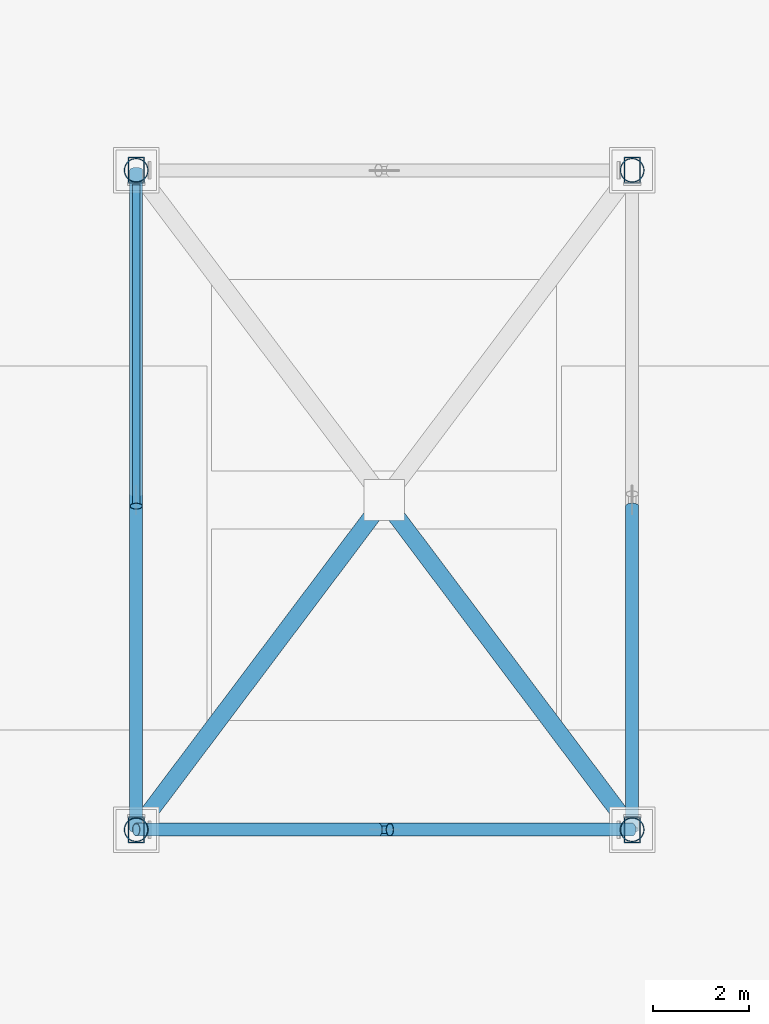
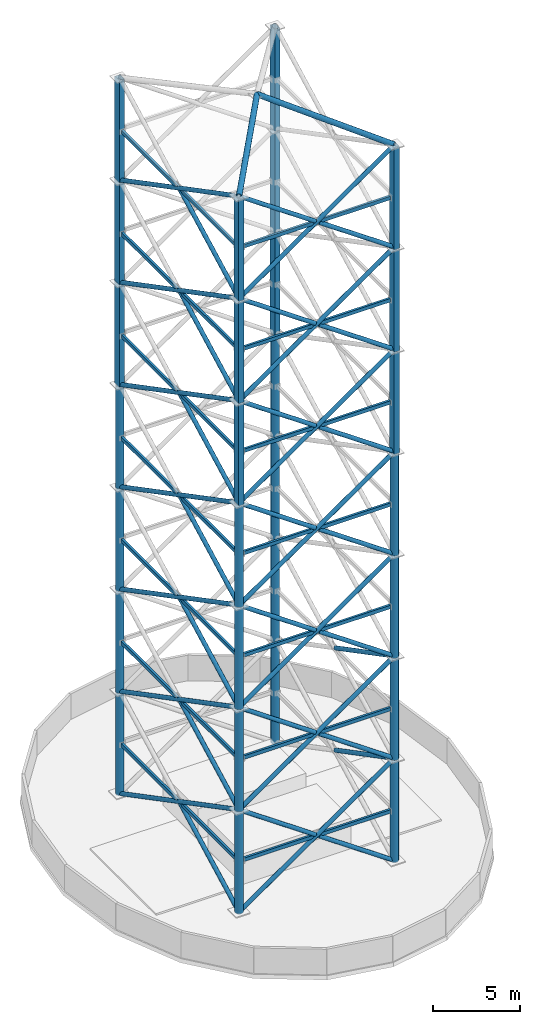
# One storey, part 1 of 7: 39 members, 28 columns, 14 beams.
"""IFC4 building model written with IfcOpenShell, lengths in metres."""

from ifc_helpers import new_model, si_unit, direction, frame, origin, origin_2d, place, context, subcontext, project, spatial, hollow_rectangle, hollow_circle, extrude, material, material_profile, profile_set, type_object, element, save


model = new_model("IFC4")

# Units and contexts
model_context = context("Model", 3, precision=1e-05, world=origin(), true_north=direction((0.0, 1.0)))
body_context = subcontext(model_context, "Body", "Model", "MODEL_VIEW")
ifc_project = project(units=[si_unit("LENGTHUNIT", "METRE"), si_unit("AREAUNIT", "SQUARE_METRE"), si_unit("VOLUMEUNIT", "CUBIC_METRE"), si_unit("PLANEANGLEUNIT", "RADIAN"), si_unit("MASSUNIT", "GRAM", prefix="KILO")], contexts=[model_context])

# Site, building, storey
site_placement = place(None, origin())
site = spatial("IfcSite", under=ifc_project, at=site_placement, CompositionType="ELEMENT")
building_placement = place(site_placement, origin())
building = spatial("IfcBuilding", under=site, at=building_placement, Name="Cununo Teusaquillo Station Towers", CompositionType="ELEMENT")
storey_placement = place(building_placement, frame((0.0, 0.0, 244.830078125)))
storey = spatial("IfcBuildingStorey", under=building, at=storey_placement, Name="Roof Drum", CompositionType="ELEMENT", Elevation=244.830078125)

# Columns
ifc_material_1 = material(Name="Steel EN 10025-2 S355J2", Category="steel")
ifc_material_profile_1 = material_profile(ifc_material_1, hollow_circle(Radius=0.25390625, WallThickness=0.01806640625, at=origin_2d()), Name="CHS 508x18")
ifc_profile_set_1 = profile_set([ifc_material_profile_1], Name="Steel EN 10025-2 S355J2")
column_type_1 = type_object("IfcColumnType", Name="COL-MAST-LEG", PredefinedType="USERDEFINED", material=ifc_profile_set_1)
for number, where, z_axis, x_axis, name in (
    (1, (11.324951171875, 17.6201171875, 0.0), (0.0, 0.0, 1.0), (1.0, 0.0, 0.0), "Broadcast Mast Lattice Leg Tier 1.1"),
    (2, (21.675048828125, 17.6201171875, 0.0), (0.0, 0.0, 1.0), (1.0, 0.0, 0.0), "Broadcast Mast Lattice Leg Tier 1.2"),
    (3, (21.675048828125, 31.3798828125, 0.0), (0.0, 0.0, 1.0), (1.0, 0.0, 0.0), "Broadcast Mast Lattice Leg Tier 1.3"),
    (4, (11.324951171875, 31.3798828125, 0.0), (0.0, 0.0, 1.0), (1.0, 0.0, 0.0), "Broadcast Mast Lattice Leg Tier 1.4"),
    (5, (11.324951171875, 17.6201171875, 7.199951171875), (0.0, 0.0, 1.0), (1.0, 0.0, 0.0), "Broadcast Mast Lattice Leg Tier 2.1"),
    (6, (21.675048828125, 17.6201171875, 7.199951171875), (0.0, 0.0, 1.0), (1.0, 0.0, 0.0), "Broadcast Mast Lattice Leg Tier 2.2"),
    (7, (21.675048828125, 31.3798828125, 7.199951171875), (0.0, 0.0, 1.0), (1.0, 0.0, 0.0), "Broadcast Mast Lattice Leg Tier 2.3"),
    (8, (11.324951171875, 31.3798828125, 7.199951171875), (0.0, 0.0, 1.0), (1.0, 0.0, 0.0), "Broadcast Mast Lattice Leg Tier 2.4"),
    (9, (11.324951171875, 17.6201171875, 14.39990234375), (0.0, 0.0, 1.0), (1.0, 0.0, 0.0), "Broadcast Mast Lattice Leg Tier 3.1"),
    (10, (21.675048828125, 17.6201171875, 14.39990234375), (0.0, 0.0, 1.0), (1.0, 0.0, 0.0), "Broadcast Mast Lattice Leg Tier 3.2"),
    (11, (21.675048828125, 31.3798828125, 14.39990234375), (0.0, 0.0, 1.0), (1.0, 0.0, 0.0), "Broadcast Mast Lattice Leg Tier 3.3"),
    (12, (11.324951171875, 31.3798828125, 14.39990234375), (0.0, 0.0, 1.0), (1.0, 0.0, 0.0), "Broadcast Mast Lattice Leg Tier 3.4"),
    (13, (11.324951171875, 17.6201171875, 21.599853515625), (0.0, 0.0, 1.0), (1.0, 0.0, 0.0), "Broadcast Mast Lattice Leg Tier 4.1"),
    (14, (21.675048828125, 17.6201171875, 21.599853515625), (0.0, 0.0, 1.0), (1.0, 0.0, 0.0), "Broadcast Mast Lattice Leg Tier 4.2"),
    (15, (21.675048828125, 31.3798828125, 21.599853515625), (0.0, 0.0, 1.0), (1.0, 0.0, 0.0), "Broadcast Mast Lattice Leg Tier 4.3"),
    (16, (11.324951171875, 31.3798828125, 21.599853515625), (0.0, 0.0, 1.0), (1.0, 0.0, 0.0), "Broadcast Mast Lattice Leg Tier 4.4"),
):
    element("IfcColumn", number, at=place(storey_placement, frame(where, z_axis=z_axis, x_axis=x_axis)), inside=storey, type_object=column_type_1, Name=name, ObjectType="BROADCAST MAST", PredefinedType="USERDEFINED", context=body_context, shape_type="SweptSolid", body=[
        extrude(hollow_circle(Radius=0.25390625, WallThickness=0.01806640625, at=origin_2d()), origin(), (0.0, 0.0, 1.0), 7.199951171875),
    ])
ifc_material_2 = material(Name="Steel ASTM A572 Grade 50", Category="steel")
ifc_material_profile_2 = material_profile(ifc_material_2, hollow_rectangle(XDim=0.35009765625, YDim=0.550048828125, WallThickness=0.02197265625, at=origin_2d()), Name="RHS 550x350x22")
ifc_profile_set_2 = profile_set([ifc_material_profile_2], Name="Steel ASTM A572 Grade 50")
column_type_2 = type_object("IfcColumnType", Name="COL-MAST-TOP", PredefinedType="USERDEFINED", material=ifc_profile_set_2)
for number, where, z_axis, x_axis, name in (
    (17, (11.324951171875, 17.6201171875, 28.7998046875), (0.0, 0.0, 1.0), (1.0, 0.0, 0.0), "Broadcast Mast Lattice Leg Tier 5.1"),
    (18, (21.675048828125, 17.6201171875, 28.7998046875), (0.0, 0.0, 1.0), (1.0, 0.0, 0.0), "Broadcast Mast Lattice Leg Tier 5.2"),
    (19, (21.675048828125, 31.3798828125, 28.7998046875), (0.0, 0.0, 1.0), (1.0, 0.0, 0.0), "Broadcast Mast Lattice Leg Tier 5.3"),
    (20, (11.324951171875, 31.3798828125, 28.7998046875), (0.0, 0.0, 1.0), (1.0, 0.0, 0.0), "Broadcast Mast Lattice Leg Tier 5.4"),
):
    element("IfcColumn", number, at=place(storey_placement, frame(where, z_axis=z_axis, x_axis=x_axis)), inside=storey, type_object=column_type_2, Name=name, ObjectType="BROADCAST MAST", PredefinedType="USERDEFINED", context=body_context, shape_type="SweptSolid", body=[
        extrude(hollow_rectangle(XDim=0.35009765625, YDim=0.550048828125, WallThickness=0.02197265625, at=origin_2d()), origin(), (0.0, 0.0, 1.0), 7.2001953125),
    ])
for number, where, z_axis, x_axis, name in (
    (21, (11.324951171875, 17.6201171875, 36.0), (0.0, 0.0, 1.0), (1.0, 0.0, 0.0), "Broadcast Mast Lattice Leg Tier 6.1"),
    (22, (21.675048828125, 17.6201171875, 36.0), (0.0, 0.0, 1.0), (1.0, 0.0, 0.0), "Broadcast Mast Lattice Leg Tier 6.2"),
    (23, (21.675048828125, 31.3798828125, 36.0), (0.0, 0.0, 1.0), (1.0, 0.0, 0.0), "Broadcast Mast Lattice Leg Tier 6.3"),
    (24, (11.324951171875, 31.3798828125, 36.0), (0.0, 0.0, 1.0), (1.0, 0.0, 0.0), "Broadcast Mast Lattice Leg Tier 6.4"),
    (25, (11.324951171875, 17.6201171875, 43.199951171875), (0.0, 0.0, 1.0), (1.0, 0.0, 0.0), "Broadcast Mast Lattice Leg Tier 7.1"),
    (26, (21.675048828125, 17.6201171875, 43.199951171875), (0.0, 0.0, 1.0), (1.0, 0.0, 0.0), "Broadcast Mast Lattice Leg Tier 7.2"),
    (27, (21.675048828125, 31.3798828125, 43.199951171875), (0.0, 0.0, 1.0), (1.0, 0.0, 0.0), "Broadcast Mast Lattice Leg Tier 7.3"),
    (28, (11.324951171875, 31.3798828125, 43.199951171875), (0.0, 0.0, 1.0), (1.0, 0.0, 0.0), "Broadcast Mast Lattice Leg Tier 7.4"),
):
    element("IfcColumn", number, at=place(storey_placement, frame(where, z_axis=z_axis, x_axis=x_axis)), inside=storey, type_object=column_type_2, Name=name, ObjectType="BROADCAST MAST", PredefinedType="USERDEFINED", context=body_context, shape_type="SweptSolid", body=[
        extrude(hollow_rectangle(XDim=0.35009765625, YDim=0.550048828125, WallThickness=0.02197265625, at=origin_2d()), origin(), (0.0, 0.0, 1.0), 7.199951171875),
    ])

# Beams
ifc_material_3 = material(Name="Steel EN 10025-2 S355J2", Category="steel")
ifc_material_profile_3 = material_profile(ifc_material_3, hollow_rectangle(XDim=0.14990234375, YDim=0.25, WallThickness=0.011962890625, at=origin_2d()), Name="RHS 250x150x12")
ifc_profile_set_3 = profile_set([ifc_material_profile_3], Name="Steel EN 10025-2 S355J2")
beam_type = type_object("IfcBeamType", Name="BM-MAST-RING", PredefinedType="BEAM", material=ifc_profile_set_3)
beam_1_placement = place(storey_placement, frame((11.614013671875, 17.6201171875, 3.599853515625), z_axis=(1.0, 0.0, 0.0), x_axis=(0.0, 1.0, 0.0)))
element("IfcBeam", 29, at=beam_1_placement, inside=storey, type_object=beam_type, Name="Broadcast Mast Collar Ring Tier 1.1", PredefinedType="BEAM", context=body_context, shape_type="SweptSolid", body=[
    extrude(hollow_rectangle(XDim=0.14990234375, YDim=0.25, WallThickness=0.011962890625, at=origin_2d()), origin(), (0.0, 0.0, 1.0), 9.77197265625),
])
beam_2_placement = place(storey_placement, frame((11.324951171875, 31.091064453125, 3.599853515625), z_axis=(0.0, -1.0, 0.0), x_axis=(1.0, 0.0, 0.0)))
element("IfcBeam", 30, at=beam_2_placement, inside=storey, type_object=beam_type, Name="Broadcast Mast Collar Ring Tier 1.4", PredefinedType="BEAM", context=body_context, shape_type="SweptSolid", body=[
    extrude(hollow_rectangle(XDim=0.14990234375, YDim=0.25, WallThickness=0.011962890625, at=origin_2d()), origin(), (0.0, 0.0, 1.0), 13.18212890625),
])
beam_3_placement = place(storey_placement, frame((11.614013671875, 17.6201171875, 10.7998046875), z_axis=(1.0, 0.0, 0.0), x_axis=(0.0, 1.0, 0.0)))
element("IfcBeam", 31, at=beam_3_placement, inside=storey, type_object=beam_type, Name="Broadcast Mast Collar Ring Tier 2.1", PredefinedType="BEAM", context=body_context, shape_type="SweptSolid", body=[
    extrude(hollow_rectangle(XDim=0.14990234375, YDim=0.25, WallThickness=0.011962890625, at=origin_2d()), origin(), (0.0, 0.0, 1.0), 9.77197265625),
])
beam_4_placement = place(storey_placement, frame((11.324951171875, 31.091064453125, 10.7998046875), z_axis=(0.0, -1.0, 0.0), x_axis=(1.0, 0.0, 0.0)))
element("IfcBeam", 32, at=beam_4_placement, inside=storey, type_object=beam_type, Name="Broadcast Mast Collar Ring Tier 2.4", PredefinedType="BEAM", context=body_context, shape_type="SweptSolid", body=[
    extrude(hollow_rectangle(XDim=0.14990234375, YDim=0.25, WallThickness=0.011962890625, at=origin_2d()), origin(), (0.0, 0.0, 1.0), 13.18212890625),
])
beam_5_placement = place(storey_placement, frame((11.614013671875, 17.6201171875, 18.0), z_axis=(1.0, 0.0, 0.0), x_axis=(0.0, 1.0, 0.0)))
element("IfcBeam", 33, at=beam_5_placement, inside=storey, type_object=beam_type, Name="Broadcast Mast Collar Ring Tier 3.1", PredefinedType="BEAM", context=body_context, shape_type="SweptSolid", body=[
    extrude(hollow_rectangle(XDim=0.14990234375, YDim=0.25, WallThickness=0.011962890625, at=origin_2d()), origin(), (0.0, 0.0, 1.0), 9.77197265625),
])
beam_6_placement = place(storey_placement, frame((11.324951171875, 31.091064453125, 18.0), z_axis=(0.0, -1.0, 0.0), x_axis=(1.0, 0.0, 0.0)))
element("IfcBeam", 34, at=beam_6_placement, inside=storey, type_object=beam_type, Name="Broadcast Mast Collar Ring Tier 3.4", PredefinedType="BEAM", context=body_context, shape_type="SweptSolid", body=[
    extrude(hollow_rectangle(XDim=0.14990234375, YDim=0.25, WallThickness=0.011962890625, at=origin_2d()), origin(), (0.0, 0.0, 1.0), 13.18212890625),
])
beam_7_placement = place(storey_placement, frame((11.614013671875, 17.6201171875, 25.199951171875), z_axis=(1.0, 0.0, 0.0), x_axis=(0.0, 1.0, 0.0)))
element("IfcBeam", 35, at=beam_7_placement, inside=storey, type_object=beam_type, Name="Broadcast Mast Collar Ring Tier 4.1", PredefinedType="BEAM", context=body_context, shape_type="SweptSolid", body=[
    extrude(hollow_rectangle(XDim=0.14990234375, YDim=0.25, WallThickness=0.011962890625, at=origin_2d()), origin(), (0.0, 0.0, 1.0), 9.77197265625),
])
beam_8_placement = place(storey_placement, frame((11.324951171875, 31.091064453125, 25.199951171875), z_axis=(0.0, -1.0, 0.0), x_axis=(1.0, 0.0, 0.0)))
element("IfcBeam", 36, at=beam_8_placement, inside=storey, type_object=beam_type, Name="Broadcast Mast Collar Ring Tier 4.4", PredefinedType="BEAM", context=body_context, shape_type="SweptSolid", body=[
    extrude(hollow_rectangle(XDim=0.14990234375, YDim=0.25, WallThickness=0.011962890625, at=origin_2d()), origin(), (0.0, 0.0, 1.0), 13.18212890625),
])
beam_9_placement = place(storey_placement, frame((11.635009765625, 17.6201171875, 32.39990234375), z_axis=(1.0, 0.0, 0.0), x_axis=(0.0, 1.0, 0.0)))
element("IfcBeam", 37, at=beam_9_placement, inside=storey, type_object=beam_type, Name="Broadcast Mast Collar Ring Tier 5.1", PredefinedType="BEAM", context=body_context, shape_type="SweptSolid", body=[
    extrude(hollow_rectangle(XDim=0.14990234375, YDim=0.25, WallThickness=0.011962890625, at=origin_2d()), origin(), (0.0, 0.0, 1.0), 9.72998046875),
])
beam_10_placement = place(storey_placement, frame((11.324951171875, 31.070068359375, 32.39990234375), z_axis=(0.0, -1.0, 0.0), x_axis=(1.0, 0.0, 0.0)))
element("IfcBeam", 38, at=beam_10_placement, inside=storey, type_object=beam_type, Name="Broadcast Mast Collar Ring Tier 5.4", PredefinedType="BEAM", context=body_context, shape_type="SweptSolid", body=[
    extrude(hollow_rectangle(XDim=0.14990234375, YDim=0.25, WallThickness=0.011962890625, at=origin_2d()), origin(), (0.0, 0.0, 1.0), 13.14013671875),
])
beam_11_placement = place(storey_placement, frame((11.635009765625, 17.6201171875, 39.599853515625), z_axis=(1.0, 0.0, 0.0), x_axis=(0.0, 1.0, 0.0)))
element("IfcBeam", 39, at=beam_11_placement, inside=storey, type_object=beam_type, Name="Broadcast Mast Collar Ring Tier 6.1", PredefinedType="BEAM", context=body_context, shape_type="SweptSolid", body=[
    extrude(hollow_rectangle(XDim=0.14990234375, YDim=0.25, WallThickness=0.011962890625, at=origin_2d()), origin(), (0.0, 0.0, 1.0), 9.72998046875),
])
beam_12_placement = place(storey_placement, frame((11.324951171875, 31.070068359375, 39.599853515625), z_axis=(0.0, -1.0, 0.0), x_axis=(1.0, 0.0, 0.0)))
element("IfcBeam", 40, at=beam_12_placement, inside=storey, type_object=beam_type, Name="Broadcast Mast Collar Ring Tier 6.4", PredefinedType="BEAM", context=body_context, shape_type="SweptSolid", body=[
    extrude(hollow_rectangle(XDim=0.14990234375, YDim=0.25, WallThickness=0.011962890625, at=origin_2d()), origin(), (0.0, 0.0, 1.0), 13.14013671875),
])
beam_13_placement = place(storey_placement, frame((11.635009765625, 17.6201171875, 46.7998046875), z_axis=(1.0, 0.0, 0.0), x_axis=(0.0, 1.0, 0.0)))
element("IfcBeam", 41, at=beam_13_placement, inside=storey, type_object=beam_type, Name="Broadcast Mast Collar Ring Tier 7.1", PredefinedType="BEAM", context=body_context, shape_type="SweptSolid", body=[
    extrude(hollow_rectangle(XDim=0.14990234375, YDim=0.25, WallThickness=0.011962890625, at=origin_2d()), origin(), (0.0, 0.0, 1.0), 9.72998046875),
])
beam_14_placement = place(storey_placement, frame((11.324951171875, 31.070068359375, 46.7998046875), z_axis=(0.0, -1.0, 0.0), x_axis=(1.0, 0.0, 0.0)))
element("IfcBeam", 42, at=beam_14_placement, inside=storey, type_object=beam_type, Name="Broadcast Mast Collar Ring Tier 7.4", PredefinedType="BEAM", context=body_context, shape_type="SweptSolid", body=[
    extrude(hollow_rectangle(XDim=0.14990234375, YDim=0.25, WallThickness=0.011962890625, at=origin_2d()), origin(), (0.0, 0.0, 1.0), 13.14013671875),
])

# Members
ifc_material_4 = material(Name="Steel EN 10025-2 S355J2", Category="steel")
ifc_material_profile_4 = material_profile(ifc_material_4, hollow_circle(Radius=0.136474609375, WallThickness=0.011962890625, at=origin_2d()), Name="CHS 273x12")
ifc_profile_set_4 = profile_set([ifc_material_profile_4], Name="Steel EN 10025-2 S355J2")
member_type_1 = type_object("IfcMemberType", Name="MBR-MAST-BR", PredefinedType="USERDEFINED", material=ifc_profile_set_4)
member_1_placement = place(storey_placement, frame((11.324951171875, 17.6201171875, 0.0), z_axis=(0.820909543203, 0.0, 0.57105824736), x_axis=(0.0, 1.0, 0.0)))
element("IfcMember", 43, at=member_1_placement, inside=storey, type_object=member_type_1, Name="Broadcast Mast Continuous Lattice Brace Tier 1.1A", ObjectType="BROADCAST MAST", PredefinedType="USERDEFINED", context=body_context, shape_type="SweptSolid", body=[
    extrude(hollow_circle(Radius=0.136474609375, WallThickness=0.011962890625, at=origin_2d()), origin(), (0.0, 0.0, 1.0), 12.608154296875),
])
for number, where, z_axis, x_axis, name in (
    (44, (21.675048828125, 17.6201171875, 0.0), (-0.820922975803, 0.0, 0.5710389372), (0.0, -1.0, 0.0), "Broadcast Mast Split Lattice Brace Tier 1.1B1"),
    (45, (16.381103515625, 17.6201171875, 3.6826171875), (-0.820904393875, 0.0, 0.571065649568), (0.0, -1.0, 0.0), "Broadcast Mast Split Lattice Brace Tier 1.1B2"),
):
    element("IfcMember", number, at=place(storey_placement, frame(where, z_axis=z_axis, x_axis=x_axis)), inside=storey, type_object=member_type_1, Name=name, ObjectType="BROADCAST MAST", PredefinedType="USERDEFINED", context=body_context, shape_type="SweptSolid", body=[
        extrude(hollow_circle(Radius=0.136474609375, WallThickness=0.011962890625, at=origin_2d()), origin(), (0.0, 0.0, 1.0), 6.1591796875),
    ])
member_2_placement = place(storey_placement, frame((21.675048828125, 24.37158203125, 3.667236328125), z_axis=(0.0, -0.886034636509, 0.463619049334), x_axis=(1.0, 0.0, 0.0)))
element("IfcMember", 46, at=member_2_placement, inside=storey, type_object=member_type_1, Name="Broadcast Mast Split Lattice Brace Tier 1.2B2", ObjectType="BROADCAST MAST", PredefinedType="USERDEFINED", context=body_context, shape_type="SweptSolid", body=[
    extrude(hollow_circle(Radius=0.136474609375, WallThickness=0.011962890625, at=origin_2d()), origin(), (0.0, 0.0, 1.0), 7.619873046875),
])
member_3_placement = place(storey_placement, frame((11.324951171875, 31.3798828125, 0.0), z_axis=(0.0, -0.886031153703, 0.463625705356), x_axis=(1.0, 0.0, 0.0)))
element("IfcMember", 47, at=member_3_placement, inside=storey, type_object=member_type_1, Name="Broadcast Mast Continuous Lattice Brace Tier 1.4A", ObjectType="BROADCAST MAST", PredefinedType="USERDEFINED", context=body_context, shape_type="SweptSolid", body=[
    extrude(hollow_circle(Radius=0.136474609375, WallThickness=0.011962890625, at=origin_2d()), origin(), (0.0, 0.0, 1.0), 15.52978515625),
])
member_4_placement = place(storey_placement, frame((11.324951171875, 17.6201171875, 0.0), z_axis=(0.0, 0.886034636509, 0.463619049334), x_axis=(-1.0, 0.0, 0.0)))
element("IfcMember", 48, at=member_4_placement, inside=storey, type_object=member_type_1, Name="Broadcast Mast Split Lattice Brace Tier 1.4B1", ObjectType="BROADCAST MAST", PredefinedType="USERDEFINED", context=body_context, shape_type="SweptSolid", body=[
    extrude(hollow_circle(Radius=0.136474609375, WallThickness=0.011962890625, at=origin_2d()), origin(), (0.0, 0.0, 1.0), 7.619873046875),
])
member_5_placement = place(storey_placement, frame((11.324951171875, 17.6201171875, 7.199951171875), z_axis=(0.820909543203, 0.0, 0.57105824736), x_axis=(0.0, 1.0, 0.0)))
element("IfcMember", 49, at=member_5_placement, inside=storey, type_object=member_type_1, Name="Broadcast Mast Continuous Lattice Brace Tier 2.1A", ObjectType="BROADCAST MAST", PredefinedType="USERDEFINED", context=body_context, shape_type="SweptSolid", body=[
    extrude(hollow_circle(Radius=0.136474609375, WallThickness=0.011962890625, at=origin_2d()), origin(), (0.0, 0.0, 1.0), 12.608154296875),
])
for number, where, z_axis, x_axis, name in (
    (50, (21.675048828125, 17.6201171875, 7.199951171875), (-0.820922975803, 0.0, 0.5710389372), (0.0, -1.0, 0.0), "Broadcast Mast Split Lattice Brace Tier 2.1B1"),
    (51, (16.381103515625, 17.6201171875, 10.8828125), (-0.820922975803, 0.0, 0.5710389372), (0.0, -1.0, 0.0), "Broadcast Mast Split Lattice Brace Tier 2.1B2"),
):
    element("IfcMember", number, at=place(storey_placement, frame(where, z_axis=z_axis, x_axis=x_axis)), inside=storey, type_object=member_type_1, Name=name, ObjectType="BROADCAST MAST", PredefinedType="USERDEFINED", context=body_context, shape_type="SweptSolid", body=[
        extrude(hollow_circle(Radius=0.136474609375, WallThickness=0.011962890625, at=origin_2d()), origin(), (0.0, 0.0, 1.0), 6.1591796875),
    ])
member_6_placement = place(storey_placement, frame((21.675048828125, 24.37158203125, 10.8671875), z_axis=(0.0, -0.886034636509, 0.463619049334), x_axis=(1.0, 0.0, 0.0)))
element("IfcMember", 52, at=member_6_placement, inside=storey, type_object=member_type_1, Name="Broadcast Mast Split Lattice Brace Tier 2.2B2", ObjectType="BROADCAST MAST", PredefinedType="USERDEFINED", context=body_context, shape_type="SweptSolid", body=[
    extrude(hollow_circle(Radius=0.136474609375, WallThickness=0.011962890625, at=origin_2d()), origin(), (0.0, 0.0, 1.0), 7.619873046875),
])
member_7_placement = place(storey_placement, frame((11.324951171875, 31.3798828125, 7.199951171875), z_axis=(0.0, -0.886031153703, 0.463625705356), x_axis=(1.0, 0.0, 0.0)))
element("IfcMember", 53, at=member_7_placement, inside=storey, type_object=member_type_1, Name="Broadcast Mast Continuous Lattice Brace Tier 2.4A", ObjectType="BROADCAST MAST", PredefinedType="USERDEFINED", context=body_context, shape_type="SweptSolid", body=[
    extrude(hollow_circle(Radius=0.136474609375, WallThickness=0.011962890625, at=origin_2d()), origin(), (0.0, 0.0, 1.0), 15.52978515625),
])
member_8_placement = place(storey_placement, frame((11.324951171875, 17.6201171875, 7.199951171875), z_axis=(0.0, 0.886034636509, 0.463619049334), x_axis=(-1.0, 0.0, 0.0)))
element("IfcMember", 54, at=member_8_placement, inside=storey, type_object=member_type_1, Name="Broadcast Mast Split Lattice Brace Tier 2.4B1", ObjectType="BROADCAST MAST", PredefinedType="USERDEFINED", context=body_context, shape_type="SweptSolid", body=[
    extrude(hollow_circle(Radius=0.136474609375, WallThickness=0.011962890625, at=origin_2d()), origin(), (0.0, 0.0, 1.0), 7.619873046875),
])
member_9_placement = place(storey_placement, frame((11.324951171875, 17.6201171875, 14.39990234375), z_axis=(0.820909543203, 0.0, 0.57105824736), x_axis=(0.0, 1.0, 0.0)))
element("IfcMember", 55, at=member_9_placement, inside=storey, type_object=member_type_1, Name="Broadcast Mast Continuous Lattice Brace Tier 3.1A", ObjectType="BROADCAST MAST", PredefinedType="USERDEFINED", context=body_context, shape_type="SweptSolid", body=[
    extrude(hollow_circle(Radius=0.136474609375, WallThickness=0.011962890625, at=origin_2d()), origin(), (0.0, 0.0, 1.0), 12.608154296875),
])
for number, where, z_axis, x_axis, name in (
    (56, (21.675048828125, 17.6201171875, 14.39990234375), (-0.820904393875, 0.0, 0.571065649568), (0.0, -1.0, 0.0), "Broadcast Mast Split Lattice Brace Tier 3.1B1"),
    (57, (16.381103515625, 17.6201171875, 18.082763671875), (-0.820922975803, 0.0, 0.5710389372), (0.0, -1.0, 0.0), "Broadcast Mast Split Lattice Brace Tier 3.1B2"),
):
    element("IfcMember", number, at=place(storey_placement, frame(where, z_axis=z_axis, x_axis=x_axis)), inside=storey, type_object=member_type_1, Name=name, ObjectType="BROADCAST MAST", PredefinedType="USERDEFINED", context=body_context, shape_type="SweptSolid", body=[
        extrude(hollow_circle(Radius=0.136474609375, WallThickness=0.011962890625, at=origin_2d()), origin(), (0.0, 0.0, 1.0), 6.1591796875),
    ])
member_10_placement = place(storey_placement, frame((11.324951171875, 31.3798828125, 14.39990234375), z_axis=(0.0, -0.886031153703, 0.463625705356), x_axis=(1.0, 0.0, 0.0)))
element("IfcMember", 58, at=member_10_placement, inside=storey, type_object=member_type_1, Name="Broadcast Mast Continuous Lattice Brace Tier 3.4A", ObjectType="BROADCAST MAST", PredefinedType="USERDEFINED", context=body_context, shape_type="SweptSolid", body=[
    extrude(hollow_circle(Radius=0.136474609375, WallThickness=0.011962890625, at=origin_2d()), origin(), (0.0, 0.0, 1.0), 15.52978515625),
])
member_11_placement = place(storey_placement, frame((11.324951171875, 17.6201171875, 14.39990234375), z_axis=(0.0, 0.886034636509, 0.463619049334), x_axis=(-1.0, 0.0, 0.0)))
element("IfcMember", 59, at=member_11_placement, inside=storey, type_object=member_type_1, Name="Broadcast Mast Split Lattice Brace Tier 3.4B1", ObjectType="BROADCAST MAST", PredefinedType="USERDEFINED", context=body_context, shape_type="SweptSolid", body=[
    extrude(hollow_circle(Radius=0.136474609375, WallThickness=0.011962890625, at=origin_2d()), origin(), (0.0, 0.0, 1.0), 7.619873046875),
])
member_12_placement = place(storey_placement, frame((11.324951171875, 17.6201171875, 21.599853515625), z_axis=(0.820909543203, 0.0, 0.57105824736), x_axis=(0.0, 1.0, 0.0)))
element("IfcMember", 60, at=member_12_placement, inside=storey, type_object=member_type_1, Name="Broadcast Mast Continuous Lattice Brace Tier 4.1A", ObjectType="BROADCAST MAST", PredefinedType="USERDEFINED", context=body_context, shape_type="SweptSolid", body=[
    extrude(hollow_circle(Radius=0.136474609375, WallThickness=0.011962890625, at=origin_2d()), origin(), (0.0, 0.0, 1.0), 12.608154296875),
])
for number, where, z_axis, x_axis, name in (
    (61, (21.675048828125, 17.6201171875, 21.599853515625), (-0.820904393875, 0.0, 0.571065649568), (0.0, -1.0, 0.0), "Broadcast Mast Split Lattice Brace Tier 4.1B1"),
    (62, (16.381103515625, 17.6201171875, 25.28271484375), (-0.820922975803, 0.0, 0.5710389372), (0.0, -1.0, 0.0), "Broadcast Mast Split Lattice Brace Tier 4.1B2"),
):
    element("IfcMember", number, at=place(storey_placement, frame(where, z_axis=z_axis, x_axis=x_axis)), inside=storey, type_object=member_type_1, Name=name, ObjectType="BROADCAST MAST", PredefinedType="USERDEFINED", context=body_context, shape_type="SweptSolid", body=[
        extrude(hollow_circle(Radius=0.136474609375, WallThickness=0.011962890625, at=origin_2d()), origin(), (0.0, 0.0, 1.0), 6.1591796875),
    ])
member_13_placement = place(storey_placement, frame((11.324951171875, 31.3798828125, 21.599853515625), z_axis=(0.0, -0.886031153703, 0.463625705356), x_axis=(1.0, 0.0, 0.0)))
element("IfcMember", 63, at=member_13_placement, inside=storey, type_object=member_type_1, Name="Broadcast Mast Continuous Lattice Brace Tier 4.4A", ObjectType="BROADCAST MAST", PredefinedType="USERDEFINED", context=body_context, shape_type="SweptSolid", body=[
    extrude(hollow_circle(Radius=0.136474609375, WallThickness=0.011962890625, at=origin_2d()), origin(), (0.0, 0.0, 1.0), 15.52978515625),
])
member_14_placement = place(storey_placement, frame((11.324951171875, 17.6201171875, 21.599853515625), z_axis=(0.0, 0.886021474868, 0.463644202026), x_axis=(-1.0, 0.0, 0.0)))
element("IfcMember", 64, at=member_14_placement, inside=storey, type_object=member_type_1, Name="Broadcast Mast Split Lattice Brace Tier 4.4B1", ObjectType="BROADCAST MAST", PredefinedType="USERDEFINED", context=body_context, shape_type="SweptSolid", body=[
    extrude(hollow_circle(Radius=0.136474609375, WallThickness=0.011962890625, at=origin_2d()), origin(), (0.0, 0.0, 1.0), 7.619873046875),
])
member_15_placement = place(storey_placement, frame((11.324951171875, 17.6201171875, 28.7998046875), z_axis=(0.820900465692, 0.0, 0.571071296273), x_axis=(0.0, 1.0, 0.0)))
element("IfcMember", 65, at=member_15_placement, inside=storey, type_object=member_type_1, Name="Broadcast Mast Continuous Lattice Brace Tier 5.1A", ObjectType="BROADCAST MAST", PredefinedType="USERDEFINED", context=body_context, shape_type="SweptSolid", body=[
    extrude(hollow_circle(Radius=0.136474609375, WallThickness=0.011962890625, at=origin_2d()), origin(), (0.0, 0.0, 1.0), 12.608154296875),
])
for number, where, z_axis, x_axis, name in (
    (66, (21.675048828125, 17.6201171875, 28.7998046875), (-0.820904393875, 0.0, 0.571065649568), (0.0, -1.0, 0.0), "Broadcast Mast Split Lattice Brace Tier 5.1B1"),
    (67, (16.381103515625, 17.6201171875, 32.482666015625), (-0.820904393875, 0.0, 0.571065649568), (0.0, -1.0, 0.0), "Broadcast Mast Split Lattice Brace Tier 5.1B2"),
):
    element("IfcMember", number, at=place(storey_placement, frame(where, z_axis=z_axis, x_axis=x_axis)), inside=storey, type_object=member_type_1, Name=name, ObjectType="BROADCAST MAST", PredefinedType="USERDEFINED", context=body_context, shape_type="SweptSolid", body=[
        extrude(hollow_circle(Radius=0.136474609375, WallThickness=0.011962890625, at=origin_2d()), origin(), (0.0, 0.0, 1.0), 6.1591796875),
    ])
member_16_placement = place(storey_placement, frame((11.324951171875, 31.3798828125, 28.7998046875), z_axis=(0.0, -0.886024695717, 0.46363804695), x_axis=(1.0, 0.0, 0.0)))
element("IfcMember", 68, at=member_16_placement, inside=storey, type_object=member_type_1, Name="Broadcast Mast Continuous Lattice Brace Tier 5.4A", ObjectType="BROADCAST MAST", PredefinedType="USERDEFINED", context=body_context, shape_type="SweptSolid", body=[
    extrude(hollow_circle(Radius=0.136474609375, WallThickness=0.011962890625, at=origin_2d()), origin(), (0.0, 0.0, 1.0), 15.52978515625),
])
member_17_placement = place(storey_placement, frame((11.324951171875, 17.6201171875, 28.7998046875), z_axis=(0.0, 0.886021474868, 0.463644202026), x_axis=(-1.0, 0.0, 0.0)))
element("IfcMember", 69, at=member_17_placement, inside=storey, type_object=member_type_1, Name="Broadcast Mast Split Lattice Brace Tier 5.4B1", ObjectType="BROADCAST MAST", PredefinedType="USERDEFINED", context=body_context, shape_type="SweptSolid", body=[
    extrude(hollow_circle(Radius=0.136474609375, WallThickness=0.011962890625, at=origin_2d()), origin(), (0.0, 0.0, 1.0), 7.619873046875),
])
member_18_placement = place(storey_placement, frame((11.324951171875, 17.6201171875, 36.0), z_axis=(0.820909543203, 0.0, 0.57105824736), x_axis=(0.0, 1.0, 0.0)))
element("IfcMember", 70, at=member_18_placement, inside=storey, type_object=member_type_1, Name="Broadcast Mast Continuous Lattice Brace Tier 6.1A", ObjectType="BROADCAST MAST", PredefinedType="USERDEFINED", context=body_context, shape_type="SweptSolid", body=[
    extrude(hollow_circle(Radius=0.136474609375, WallThickness=0.011962890625, at=origin_2d()), origin(), (0.0, 0.0, 1.0), 12.608154296875),
])
for number, where, z_axis, x_axis, name in (
    (71, (21.675048828125, 17.6201171875, 36.0), (-0.820922975803, 0.0, 0.5710389372), (0.0, -1.0, 0.0), "Broadcast Mast Split Lattice Brace Tier 6.1B1"),
    (72, (16.381103515625, 17.6201171875, 39.6826171875), (-0.820904393875, 0.0, 0.571065649568), (0.0, -1.0, 0.0), "Broadcast Mast Split Lattice Brace Tier 6.1B2"),
):
    element("IfcMember", number, at=place(storey_placement, frame(where, z_axis=z_axis, x_axis=x_axis)), inside=storey, type_object=member_type_1, Name=name, ObjectType="BROADCAST MAST", PredefinedType="USERDEFINED", context=body_context, shape_type="SweptSolid", body=[
        extrude(hollow_circle(Radius=0.136474609375, WallThickness=0.011962890625, at=origin_2d()), origin(), (0.0, 0.0, 1.0), 6.1591796875),
    ])
member_19_placement = place(storey_placement, frame((11.324951171875, 31.3798828125, 36.0), z_axis=(0.0, -0.886031153703, 0.463625705356), x_axis=(1.0, 0.0, 0.0)))
element("IfcMember", 73, at=member_19_placement, inside=storey, type_object=member_type_1, Name="Broadcast Mast Continuous Lattice Brace Tier 6.4A", ObjectType="BROADCAST MAST", PredefinedType="USERDEFINED", context=body_context, shape_type="SweptSolid", body=[
    extrude(hollow_circle(Radius=0.136474609375, WallThickness=0.011962890625, at=origin_2d()), origin(), (0.0, 0.0, 1.0), 15.52978515625),
])
member_20_placement = place(storey_placement, frame((11.324951171875, 17.6201171875, 36.0), z_axis=(0.0, 0.886034636509, 0.463619049334), x_axis=(-1.0, 0.0, 0.0)))
element("IfcMember", 74, at=member_20_placement, inside=storey, type_object=member_type_1, Name="Broadcast Mast Split Lattice Brace Tier 6.4B1", ObjectType="BROADCAST MAST", PredefinedType="USERDEFINED", context=body_context, shape_type="SweptSolid", body=[
    extrude(hollow_circle(Radius=0.136474609375, WallThickness=0.011962890625, at=origin_2d()), origin(), (0.0, 0.0, 1.0), 7.619873046875),
])
member_21_placement = place(storey_placement, frame((11.324951171875, 17.6201171875, 43.199951171875), z_axis=(0.820909543203, 0.0, 0.57105824736), x_axis=(0.0, 1.0, 0.0)))
element("IfcMember", 75, at=member_21_placement, inside=storey, type_object=member_type_1, Name="Broadcast Mast Continuous Lattice Brace Tier 7.1A", ObjectType="BROADCAST MAST", PredefinedType="USERDEFINED", context=body_context, shape_type="SweptSolid", body=[
    extrude(hollow_circle(Radius=0.136474609375, WallThickness=0.011962890625, at=origin_2d()), origin(), (0.0, 0.0, 1.0), 12.608154296875),
])
for number, where, z_axis, x_axis, name in (
    (76, (21.675048828125, 17.6201171875, 43.199951171875), (-0.820922975803, 0.0, 0.5710389372), (0.0, -1.0, 0.0), "Broadcast Mast Split Lattice Brace Tier 7.1B1"),
    (77, (16.381103515625, 17.6201171875, 46.8828125), (-0.820922975803, 0.0, 0.5710389372), (0.0, -1.0, 0.0), "Broadcast Mast Split Lattice Brace Tier 7.1B2"),
):
    element("IfcMember", number, at=place(storey_placement, frame(where, z_axis=z_axis, x_axis=x_axis)), inside=storey, type_object=member_type_1, Name=name, ObjectType="BROADCAST MAST", PredefinedType="USERDEFINED", context=body_context, shape_type="SweptSolid", body=[
        extrude(hollow_circle(Radius=0.136474609375, WallThickness=0.011962890625, at=origin_2d()), origin(), (0.0, 0.0, 1.0), 6.1591796875),
    ])
member_22_placement = place(storey_placement, frame((11.324951171875, 31.3798828125, 43.199951171875), z_axis=(0.0, -0.886031153703, 0.463625705356), x_axis=(1.0, 0.0, 0.0)))
element("IfcMember", 78, at=member_22_placement, inside=storey, type_object=member_type_1, Name="Broadcast Mast Continuous Lattice Brace Tier 7.4A", ObjectType="BROADCAST MAST", PredefinedType="USERDEFINED", context=body_context, shape_type="SweptSolid", body=[
    extrude(hollow_circle(Radius=0.136474609375, WallThickness=0.011962890625, at=origin_2d()), origin(), (0.0, 0.0, 1.0), 15.52978515625),
])
member_23_placement = place(storey_placement, frame((11.324951171875, 17.6201171875, 43.199951171875), z_axis=(0.0, 0.886034636509, 0.463619049334), x_axis=(-1.0, 0.0, 0.0)))
element("IfcMember", 79, at=member_23_placement, inside=storey, type_object=member_type_1, Name="Broadcast Mast Split Lattice Brace Tier 7.4B1", ObjectType="BROADCAST MAST", PredefinedType="USERDEFINED", context=body_context, shape_type="SweptSolid", body=[
    extrude(hollow_circle(Radius=0.136474609375, WallThickness=0.011962890625, at=origin_2d()), origin(), (0.0, 0.0, 1.0), 7.619873046875),
])
ifc_material_5 = material(Name="Steel EN 10025-2 S355J2", Category="steel")
ifc_material_profile_5 = material_profile(ifc_material_5, hollow_circle(Radius=0.177978515625, WallThickness=0.013916015625, at=origin_2d()), Name="CHS 356x14")
ifc_profile_set_5 = profile_set([ifc_material_profile_5], Name="Steel EN 10025-2 S355J2")
member_type_2 = type_object("IfcMemberType", Name="MBR-MAST-PIN", PredefinedType="USERDEFINED", material=ifc_profile_set_5)
for number, where, z_axis, x_axis, name in (
    (80, (11.324951171875, 17.6201171875, 50.39990234375), (0.595369104074, 0.791503578469, 0.138049683754), (-0.799155246197, 0.601124689625, 0.0), "Broadcast Mast Pinnacle Crown Strut 1"),
    (81, (21.675048828125, 17.6201171875, 50.39990234375), (-0.595369104074, 0.791503578469, 0.138049683754), (-0.799155246197, -0.601124689625, 0.0), "Broadcast Mast Pinnacle Crown Strut 2"),
):
    element("IfcMember", number, at=place(storey_placement, frame(where, z_axis=z_axis, x_axis=x_axis)), inside=storey, type_object=member_type_2, Name=name, ObjectType="BROADCAST MAST", PredefinedType="USERDEFINED", context=body_context, shape_type="SweptSolid", body=[
        extrude(hollow_circle(Radius=0.177978515625, WallThickness=0.013916015625, at=origin_2d()), origin(), (0.0, 0.0, 1.0), 8.692138671875),
    ])

save(model, "model.ifc")
